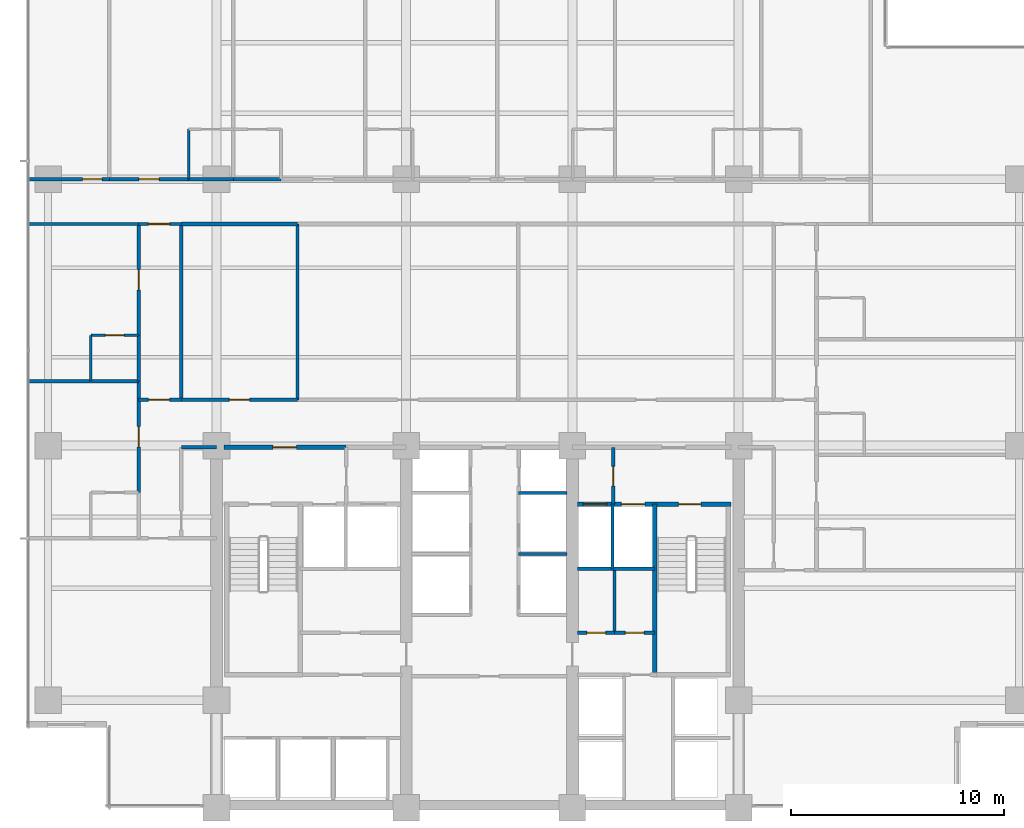
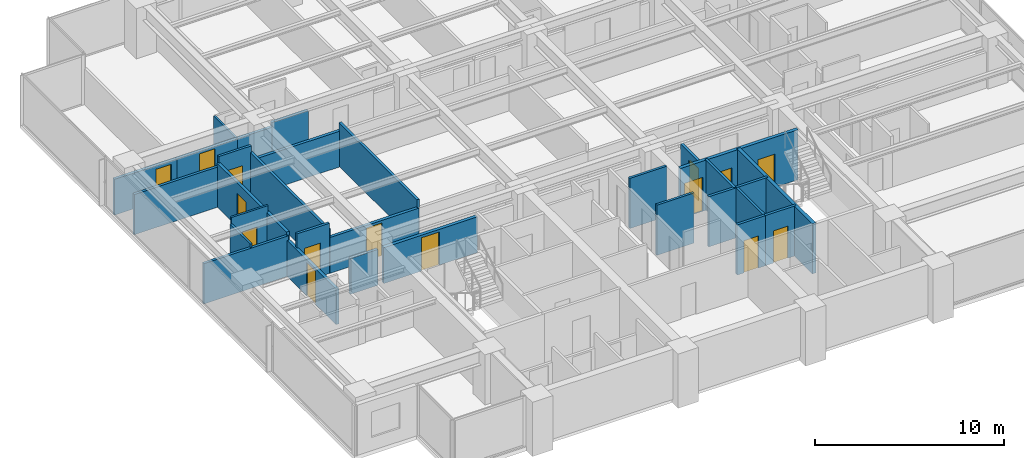
# One storey, part 9 of 17: 30 walls, 15 doors, 15 openings.
"""IFC4 building model written with IfcOpenShell, lengths in metres."""

from ifc_helpers import new_model, si_unit, direction, frame, frame_2d, origin, place, context, subcontext, project, spatial, rectangle, extrude, material, layer, layer_set, type_object, element, fill, save


model = new_model("IFC4")

# Units and contexts
model_context = context("Model", 3, precision=1e-05, world=origin(), true_north=direction((0.0, 1.0)))
body_context = subcontext(model_context, "Body", "Model", "MODEL_VIEW")
ifc_project = project(units=[si_unit("LENGTHUNIT", "METRE"), si_unit("AREAUNIT", "SQUARE_METRE"), si_unit("VOLUMEUNIT", "CUBIC_METRE"), si_unit("PLANEANGLEUNIT", "RADIAN"), si_unit("MASSUNIT", "GRAM", prefix="KILO")], contexts=[model_context])

# Site, building, storey
site_placement = place(None, origin())
site = spatial("IfcSite", under=ifc_project, at=site_placement, CompositionType="ELEMENT")
building_placement = place(site_placement, origin())
building = spatial("IfcBuilding", under=site, at=building_placement, Name="Qalmaran Belvedere Hotel", CompositionType="ELEMENT")
storey_placement = place(building_placement, frame((0.0, 0.0, 102.199951171875)))
storey = spatial("IfcBuildingStorey", under=building, at=storey_placement, Name="L25", CompositionType="ELEMENT", Elevation=102.199951171875)

# Wall
ifc_material_1 = material(Name="Moisture-Resistant Gypsum")
ifc_layer_1 = layer(ifc_material_1, 0.1201171875, Name="Moisture-Resistant Gypsum")
ifc_layer_set_1 = layer_set([ifc_layer_1], Name="Moisture-Resistant Gypsum")
wall_type_1 = type_object("IfcWallType", Name="WL-INT-120-BATH", PredefinedType="PARTITIONING", material=ifc_layer_set_1)
wall_1_placement = place(storey_placement, frame((18.99560546875, 33.0, 0.0), z_axis=(0.0, 0.0, 1.0), x_axis=(0.0, 1.0, 0.0)))
element("IfcWall", 1, at=wall_1_placement, inside=storey, type_object=wall_type_1, Name="L25 Partition WL-L25-NBS00", PredefinedType="PARTITIONING", context=body_context, shape_type="SweptSolid", body=[
    extrude(rectangle(XDim=2.35009765625, YDim=0.1201171875, at=frame_2d((1.175048828125, 0.0))), origin(), (0.0, 0.0, 1.0), 2.31298828125),
])

# Wall, opening, door
wall_2_placement = place(storey_placement, frame((14.39990234375, 25.675048828125, 0.0), z_axis=(0.0, 0.0, 1.0), x_axis=(1.0, 0.0, 0.0)))
wall_2 = element("IfcWall", 2, at=wall_2_placement, inside=storey, type_object=wall_type_1, Name="L25 Partition WL-L25-WBN01", PredefinedType="PARTITIONING", context=body_context, shape_type="SweptSolid", body=[
    extrude(rectangle(XDim=2.25, YDim=0.1201171875, at=frame_2d((1.125, 0.0))), origin(), (0.0, 0.0, 1.0), 3.239990234375),
])
opening_1_placement = place(wall_2_placement, frame((1.56494140625, 0.0, 0.0), z_axis=(0.0, 0.0, 1.0), x_axis=(-1.0, 0.0, 0.0)))
opening_1 = element("IfcOpeningElement", 3, at=opening_1_placement, cuts=wall_2, Name="Opening D-BATH", PredefinedType="OPENING", context=body_context, shape_type="SweptSolid", body=[
    extrude(rectangle(XDim=0.8798828125, YDim=2.080078125, at=frame_2d((0.43994140625, 1.0400390625))), frame((0.0, 0.070068359375, 0.0), z_axis=(0.0, -1.0, 0.0), x_axis=(1.0, 0.0, 0.0)), (0.0, 0.0, 1.0), 0.14013671875),
])
ifc_material_2 = material(Name="Engineered Oak Veneer")
door_type_1 = type_object("IfcDoorType", Name="DR-INT-BATH-880X2080", OperationType="NOTDEFINED", PredefinedType="DOOR", material=ifc_material_2)
door_1_placement = place(opening_1_placement, origin())
door_1 = element("IfcDoor", 4, at=door_1_placement, inside=storey, type_object=door_type_1, Name="L25 W Ensuite Door 02", OperationType="SINGLE_SWING_RIGHT", OverallHeight=2.080078125, OverallWidth=0.8798828125, PredefinedType="DOOR", context=body_context, shape_type="SweptSolid", body=[
    extrude(rectangle(XDim=0.8798828125, YDim=2.080078125, at=frame_2d((0.43994140625, 1.0400390625))), frame((0.0, 0.02490234375, 0.0), z_axis=(0.0, -1.0, 0.0), x_axis=(1.0, 0.0, 0.0)), (0.0, 0.0, 1.0), 0.050048828125),
])
fill(opening_1, door_1)

# Walls
wall_3_placement = place(storey_placement, frame((14.39990234375, 23.52490234375, 0.0), z_axis=(0.0, 0.0, 1.0), x_axis=(0.0, 1.0, 0.0)))
element("IfcWall", 5, at=wall_3_placement, inside=storey, type_object=wall_type_1, Name="L25 Partition WL-L25-WBS01", PredefinedType="PARTITIONING", context=body_context, shape_type="SweptSolid", body=[
    extrude(rectangle(XDim=2.150146484375, YDim=0.1201171875, at=frame_2d((1.0751953125, 0.0))), origin(), (0.0, 0.0, 1.0), 2.818115234375),
])
ifc_material_3 = material(Name="Gypsum Stud Partition")
ifc_layer_2 = layer(ifc_material_3, 0.14990234375, Name="Gypsum Stud Partition")
ifc_layer_set_2 = layer_set([ifc_layer_2], Name="Gypsum Stud Partition")
wall_type_2 = type_object("IfcWallType", Name="WL-INT-150-EI120", PredefinedType="PARTITIONING", material=ifc_layer_set_2)
wall_4_placement = place(storey_placement, frame((38.8798828125, 14.719970703125, 0.0), z_axis=(0.0, 0.0, 1.0), x_axis=(0.0, 1.0, 0.0)))
element("IfcWall", 6, at=wall_4_placement, inside=storey, type_object=wall_type_2, Name="L25 Partition WL-FF2M-L25", PredefinedType="PARTITIONING", context=body_context, shape_type="SweptSolid", body=[
    extrude(rectangle(XDim=3.0400390625, YDim=0.14990234375, at=frame_2d((1.52001953125, 0.0))), origin(), (0.0, 0.0, 1.0), 3.239990234375),
])
for number, where, z_axis, x_axis, name in (
    (7, (34.47998046875, 15.419921875, 0.0), (0.0, 0.0, 1.0), (1.0, 0.0, 0.0), "L25 Partition WL-PME-L25-154"),
    (8, (34.47998046875, 18.280029296875, 0.0), (0.0, 0.0, 1.0), (1.0, 0.0, 0.0), "L25 Partition WL-PME-L25-182"),
):
    element("IfcWall", number, at=place(storey_placement, frame(where, z_axis=z_axis, x_axis=x_axis)), inside=storey, type_object=wall_type_2, Name=name, PredefinedType="PARTITIONING", context=body_context, shape_type="SweptSolid", body=[
        extrude(rectangle(XDim=2.27001953125, YDim=0.14990234375, at=frame_2d((1.135009765625, 0.0))), origin(), (0.0, 0.0, 1.0), 3.239990234375),
    ])
ifc_layer_3 = layer(ifc_material_3, 0.14990234375, Name="Gypsum Stud Partition")
ifc_layer_set_3 = layer_set([ifc_layer_3], Name="Gypsum Stud Partition")
wall_type_3 = type_object("IfcWallType", Name="WL-INT-150-EI60", PredefinedType="PARTITIONING", material=ifc_layer_set_3)
wall_5_placement = place(storey_placement, frame((38.98291015625, 11.719970703125, 0.0), z_axis=(0.0, 0.0, 1.0), x_axis=(0.0, 1.0, 0.0)))
element("IfcWall", 9, at=wall_5_placement, inside=storey, type_object=wall_type_3, Name="L25 Partition WL-L25-KEV1", PredefinedType="PARTITIONING", context=body_context, shape_type="SweptSolid", body=[
    extrude(rectangle(XDim=2.929931640625, YDim=0.14990234375, at=frame_2d((1.46484375, 0.0))), origin(), (0.0, 0.0, 1.0), 3.239990234375),
])

# Wall, opening, door
wall_6_placement = place(storey_placement, frame((16.64990234375, 22.64990234375, 0.0), z_axis=(0.0, 0.0, 1.0), x_axis=(1.0, 0.0, 0.0)))
wall_6 = element("IfcWall", 10, at=wall_6_placement, inside=storey, type_object=wall_type_3, Name="L25 Partition WL-L25-XCW1", PredefinedType="PARTITIONING", context=body_context, shape_type="SweptSolid", body=[
    extrude(rectangle(XDim=2.0, YDim=0.14990234375, at=frame_2d((1.0, 0.0))), origin(), (0.0, 0.0, 1.0), 3.239990234375),
])
opening_2_placement = place(wall_6_placement, frame((0.449951171875, 0.0, 0.0)))
opening_2 = element("IfcOpeningElement", 11, at=opening_2_placement, cuts=wall_6, Name="Opening FD90B", PredefinedType="OPENING", context=body_context, shape_type="SweptSolid", body=[
    extrude(rectangle(XDim=1.0, YDim=2.14990234375, at=frame_2d((0.5, 1.074951171875))), frame((0.0, 0.0849609375, 0.0), z_axis=(0.0, -1.0, 0.0), x_axis=(1.0, 0.0, 0.0)), (0.0, 0.0, 1.0), 0.169921875),
])
ifc_material_4 = material(Name="Steel S355JR", Category="steel")
door_type_2 = type_object("IfcDoorType", Name="DR-FD90B-1000X2150", OperationType="NOTDEFINED", PredefinedType="DOOR", material=ifc_material_4)
door_2_placement = place(opening_2_placement, origin())
door_2 = element("IfcDoor", 12, at=door_2_placement, inside=storey, type_object=door_type_2, Name="L25 West Corridor Smoke Door S", OperationType="SINGLE_SWING_LEFT", OverallHeight=2.14990234375, OverallWidth=1.0, PredefinedType="DOOR", context=body_context, shape_type="SweptSolid", body=[
    extrude(rectangle(XDim=1.0, YDim=2.14990234375, at=frame_2d((0.5, 1.074951171875))), frame((0.0, 0.02490234375, 0.0), z_axis=(0.0, -1.0, 0.0), x_axis=(1.0, 0.0, 0.0)), (0.0, 0.0, 1.0), 0.050048828125),
])
fill(opening_2, door_2)

wall_7_placement = place(storey_placement, frame((16.64990234375, 30.89990234375, 0.0), z_axis=(0.0, 0.0, 1.0), x_axis=(1.0, 0.0, 0.0)))
wall_7 = element("IfcWall", 13, at=wall_7_placement, inside=storey, type_object=wall_type_3, Name="L25 Partition WL-L25-XCW2", PredefinedType="PARTITIONING", context=body_context, shape_type="SweptSolid", body=[
    extrude(rectangle(XDim=2.0, YDim=0.14990234375, at=frame_2d((1.0, 0.0))), origin(), (0.0, 0.0, 1.0), 3.239990234375),
])
opening_3_placement = place(wall_7_placement, frame((0.449951171875, 0.0, 0.0)))
opening_3 = element("IfcOpeningElement", 14, at=opening_3_placement, cuts=wall_7, Name="Opening FD90B", PredefinedType="OPENING", context=body_context, shape_type="SweptSolid", body=[
    extrude(rectangle(XDim=1.0, YDim=2.14990234375, at=frame_2d((0.5, 1.074951171875))), frame((0.0, 0.0849609375, 0.0), z_axis=(0.0, -1.0, 0.0), x_axis=(1.0, 0.0, 0.0)), (0.0, 0.0, 1.0), 0.169921875),
])
door_3_placement = place(opening_3_placement, origin())
door_3 = element("IfcDoor", 15, at=door_3_placement, inside=storey, type_object=door_type_2, Name="L25 West Corridor Smoke Door N", OperationType="SINGLE_SWING_RIGHT", OverallHeight=2.14990234375, OverallWidth=1.0, PredefinedType="DOOR", context=body_context, shape_type="SweptSolid", body=[
    extrude(rectangle(XDim=1.0, YDim=2.14990234375, at=frame_2d((0.5, 1.074951171875))), frame((0.0, 0.02490234375, 0.0), z_axis=(0.0, -1.0, 0.0), x_axis=(1.0, 0.0, 0.0)), (0.0, 0.0, 1.0), 0.050048828125),
])
fill(opening_3, door_3)

ifc_layer_4 = layer(ifc_material_3, 0.159912109375, Name="Gypsum Stud Partition")
ifc_layer_set_4 = layer_set([ifc_layer_4], Name="Gypsum Stud Partition")
wall_type_4 = type_object("IfcWallType", Name="WL-INT-160-EI120", PredefinedType="PARTITIONING", material=ifc_layer_set_4)
wall_8_placement = place(storey_placement, frame((38.919921875, 17.760009765625, 0.0), z_axis=(0.0, 0.0, 1.0), x_axis=(0.0, 1.0, 0.0)))
wall_8 = element("IfcWall", 16, at=wall_8_placement, inside=storey, type_object=wall_type_4, Name="L25 Partition WL-FFSV2-L25", PredefinedType="PARTITIONING", context=body_context, shape_type="SweptSolid", body=[
    extrude(rectangle(XDim=2.659912109375, YDim=0.159912109375, at=frame_2d((1.330078125, 0.0))), origin(), (0.0, 0.0, 1.0), 2.614013671875),
])
opening_4_placement = place(wall_8_placement, frame((1.77001953125, 0.0, 0.0), z_axis=(0.0, 0.0, 1.0), x_axis=(-1.0, 0.0, 0.0)))
opening_4 = element("IfcOpeningElement", 17, at=opening_4_placement, cuts=wall_8, Name="Opening FD60S1", PredefinedType="OPENING", context=body_context, shape_type="SweptSolid", body=[
    extrude(rectangle(XDim=0.919921875, YDim=2.080078125, at=frame_2d((0.4599609375, 1.0400390625))), frame((0.0, 0.08984375, 0.0), z_axis=(0.0, -1.0, 0.0), x_axis=(1.0, 0.0, 0.0)), (0.0, 0.0, 1.0), 0.179931640625),
])
door_type_3 = type_object("IfcDoorType", Name="DR-FD60S-920X2080", OperationType="NOTDEFINED", PredefinedType="DOOR", material=ifc_material_2)
door_4_placement = place(opening_4_placement, origin())
door_4 = element("IfcDoor", 18, at=door_4_placement, inside=storey, type_object=door_type_3, Name="L25 Service Lobby East Door", OperationType="SINGLE_SWING_LEFT", OverallHeight=2.080078125, OverallWidth=0.919921875, PredefinedType="DOOR", context=body_context, shape_type="SweptSolid", body=[
    extrude(rectangle(XDim=0.919921875, YDim=2.080078125, at=frame_2d((0.4599609375, 1.0400390625))), frame((0.0, 0.02490234375, 0.0), z_axis=(0.0, -1.0, 0.0), x_axis=(1.0, 0.0, 0.0)), (0.0, 0.0, 1.0), 0.050048828125),
])
fill(opening_4, door_4)

# Wall
wall_9_placement = place(storey_placement, frame((37.25, 14.719970703125, 0.0), z_axis=(0.0, 0.0, 1.0), x_axis=(1.0, 0.0, 0.0)))
element("IfcWall", 19, at=wall_9_placement, inside=storey, type_object=wall_type_4, Name="L25 Partition WL-FF2S-L25", PredefinedType="PARTITIONING", context=body_context, shape_type="SweptSolid", body=[
    extrude(rectangle(XDim=3.610107421875, YDim=0.159912109375, at=frame_2d((1.80517578125, 0.0))), origin(), (0.0, 0.0, 1.0), 3.239990234375),
])

# Wall, opening, door
ifc_layer_5 = layer(ifc_material_3, 0.159912109375, Name="Gypsum Stud Partition")
ifc_layer_set_5 = layer_set([ifc_layer_5], Name="Gypsum Stud Partition")
wall_type_5 = type_object("IfcWallType", Name="WL-INT-160-EI60", PredefinedType="PARTITIONING", material=ifc_layer_set_5)
wall_10_placement = place(storey_placement, frame((37.25, 11.719970703125, 0.0), z_axis=(0.0, 0.0, 1.0), x_axis=(1.0, 0.0, 0.0)))
wall_10 = element("IfcWall", 20, at=wall_10_placement, inside=storey, type_object=wall_type_5, Name="L25 Partition WL-L25-KEE1", PredefinedType="PARTITIONING", context=body_context, shape_type="SweptSolid", body=[
    extrude(rectangle(XDim=1.73291015625, YDim=0.159912109375, at=frame_2d((0.866455078125, 0.0))), origin(), (0.0, 0.0, 1.0), 3.239990234375),
])
opening_5_placement = place(wall_10_placement, frame((0.426513671875, 0.0, 0.0)))
opening_5 = element("IfcOpeningElement", 21, at=opening_5_placement, cuts=wall_10, Name="Opening FD60B", PredefinedType="OPENING", context=body_context, shape_type="SweptSolid", body=[
    extrude(rectangle(XDim=0.8798828125, YDim=2.080078125, at=frame_2d((0.43994140625, 1.0400390625))), frame((0.0, 0.08984375, 0.0), z_axis=(0.0, -1.0, 0.0), x_axis=(1.0, 0.0, 0.0)), (0.0, 0.0, 1.0), 0.179931640625),
])
door_type_4 = type_object("IfcDoorType", Name="DR-FD60B-880X2080", OperationType="NOTDEFINED", PredefinedType="DOOR", material=ifc_material_4)
door_5_placement = place(opening_5_placement, origin())
door_5 = element("IfcDoor", 22, at=door_5_placement, inside=storey, type_object=door_type_4, Name="L25 Cleaner Equipment Store Door", OperationType="SINGLE_SWING_RIGHT", OverallHeight=2.080078125, OverallWidth=0.8798828125, PredefinedType="DOOR", context=body_context, shape_type="SweptSolid", body=[
    extrude(rectangle(XDim=0.8798828125, YDim=2.080078125, at=frame_2d((0.43994140625, 1.0400390625))), frame((0.0, 0.02490234375, 0.0), z_axis=(0.0, -1.0, 0.0), x_axis=(1.0, 0.0, 0.0)), (0.0, 0.0, 1.0), 0.050048828125),
])
fill(opening_5, door_5)

wall_11_placement = place(storey_placement, frame((38.98291015625, 11.719970703125, 0.0), z_axis=(0.0, 0.0, 1.0), x_axis=(1.0, 0.0, 0.0)))
wall_11 = element("IfcWall", 23, at=wall_11_placement, inside=storey, type_object=wall_type_5, Name="L25 Partition WL-L25-KEE2", PredefinedType="PARTITIONING", context=body_context, shape_type="SweptSolid", body=[
    extrude(rectangle(XDim=1.877197265625, YDim=0.159912109375, at=frame_2d((0.9384765625, 0.0))), origin(), (0.0, 0.0, 1.0), 3.239990234375),
])
opening_6_placement = place(wall_11_placement, frame((0.49853515625, 0.0, 0.0)))
opening_6 = element("IfcOpeningElement", 24, at=opening_6_placement, cuts=wall_11, Name="Opening FD60B", PredefinedType="OPENING", context=body_context, shape_type="SweptSolid", body=[
    extrude(rectangle(XDim=0.8798828125, YDim=2.080078125, at=frame_2d((0.43994140625, 1.0400390625))), frame((0.0, 0.08984375, 0.0), z_axis=(0.0, -1.0, 0.0), x_axis=(1.0, 0.0, 0.0)), (0.0, 0.0, 1.0), 0.179931640625),
])
door_6_placement = place(opening_6_placement, origin())
door_6 = element("IfcDoor", 25, at=door_6_placement, inside=storey, type_object=door_type_4, Name="L25 Low Voltage Switch Room Door", OperationType="SINGLE_SWING_LEFT", OverallHeight=2.080078125, OverallWidth=0.8798828125, PredefinedType="DOOR", context=body_context, shape_type="SweptSolid", body=[
    extrude(rectangle(XDim=0.8798828125, YDim=2.080078125, at=frame_2d((0.43994140625, 1.0400390625))), frame((0.0, 0.02490234375, 0.0), z_axis=(0.0, -1.0, 0.0), x_axis=(1.0, 0.0, 0.0)), (0.0, 0.0, 1.0), 0.050048828125),
])
fill(opening_6, door_6)

# Walls
wall_12_placement = place(storey_placement, frame((18.64990234375, 20.419921875, 0.0), z_axis=(0.0, 0.0, 1.0), x_axis=(1.0, 0.0, 0.0)))
element("IfcWall", 26, at=wall_12_placement, inside=storey, type_object=wall_type_5, Name="L25 Partition WL-L25-WCLN", PredefinedType="PARTITIONING", context=body_context, shape_type="SweptSolid", body=[
    extrude(rectangle(XDim=1.650146484375, YDim=0.159912109375, at=frame_2d((0.8251953125, 0.0))), origin(), (0.0, 0.0, 1.0), 2.31298828125),
])
for number, where, z_axis, x_axis, name in (
    (27, (18.64990234375, 22.64990234375, 0.0), (0.0, 0.0, 1.0), (0.0, 1.0, 0.0), "L25 Partition WL-L25-MIDVL"),
    (28, (24.10009765625, 22.64990234375, 0.0), (0.0, 0.0, 1.0), (0.0, 1.0, 0.0), "L25 Partition WL-L25-MIDVR1"),
):
    element("IfcWall", number, at=place(storey_placement, frame(where, z_axis=z_axis, x_axis=x_axis)), inside=storey, type_object=wall_type_5, Name=name, PredefinedType="PARTITIONING", context=body_context, shape_type="SweptSolid", body=[
        extrude(rectangle(XDim=8.25, YDim=0.159912109375, at=frame_2d((4.125, 0.0))), origin(), (0.0, 0.0, 1.0), 2.818115234375),
    ])
for number, where, z_axis, x_axis, name in (
    (29, (11.469970703125, 23.52490234375, 0.0), (0.0, 0.0, 1.0), (1.0, 0.0, 0.0), "L25 Partition WL-L25-WU00"),
    (30, (11.469970703125, 30.89990234375, 0.0), (0.0, 0.0, 1.0), (1.0, 0.0, 0.0), "L25 Partition WL-L25-WU01"),
):
    element("IfcWall", number, at=place(storey_placement, frame(where, z_axis=z_axis, x_axis=x_axis)), inside=storey, type_object=wall_type_5, Name=name, PredefinedType="PARTITIONING", context=body_context, shape_type="SweptSolid", body=[
        extrude(rectangle(XDim=5.179931640625, YDim=0.159912109375, at=frame_2d((2.58984375, 0.0))), origin(), (0.0, 0.0, 1.0), 2.60302734375),
    ])

# Wall, opening, door
ifc_layer_6 = layer(ifc_material_3, 0.179931640625, Name="Gypsum Stud Partition")
ifc_layer_set_6 = layer_set([ifc_layer_6], Name="Gypsum Stud Partition")
wall_type_6 = type_object("IfcWallType", Name="WL-INT-180-EI60", PredefinedType="PARTITIONING", material=ifc_layer_set_6)
wall_13_placement = place(storey_placement, frame((18.64990234375, 22.64990234375, 0.0), z_axis=(0.0, 0.0, 1.0), x_axis=(1.0, 0.0, 0.0)))
wall_13 = element("IfcWall", 31, at=wall_13_placement, inside=storey, type_object=wall_type_6, Name="L25 Partition WL-L25-MIDD1", PredefinedType="PARTITIONING", context=body_context, shape_type="SweptSolid", body=[
    extrude(rectangle(XDim=5.4501953125, YDim=0.179931640625, at=frame_2d((2.72509765625, 0.0))), origin(), (0.0, 0.0, 1.0), 2.31298828125),
])
opening_7_placement = place(wall_13_placement, frame((2.25, 0.0, 0.0)))
opening_7 = element("IfcOpeningElement", 32, at=opening_7_placement, cuts=wall_13, Name="Opening FD60", PredefinedType="OPENING", context=body_context, shape_type="SweptSolid", body=[
    extrude(rectangle(XDim=0.949951171875, YDim=2.14990234375, at=frame_2d((0.47509765625, 1.074951171875))), frame((0.0, 0.10009765625, 0.0), z_axis=(0.0, -1.0, 0.0), x_axis=(1.0, 0.0, 0.0)), (0.0, 0.0, 1.0), 0.199951171875),
])
door_type_5 = type_object("IfcDoorType", Name="DR-FD60-950X2150", OperationType="NOTDEFINED", PredefinedType="DOOR", material=ifc_material_2)
door_7_placement = place(opening_7_placement, origin())
door_7 = element("IfcDoor", 33, at=door_7_placement, inside=storey, type_object=door_type_5, Name="L25 Housekeeping and Linen Room Door", OperationType="SINGLE_SWING_LEFT", OverallHeight=2.14990234375, OverallWidth=0.949951171875, PredefinedType="DOOR", context=body_context, shape_type="SweptSolid", body=[
    extrude(rectangle(XDim=0.949951171875, YDim=2.14990234375, at=frame_2d((0.47509765625, 1.074951171875))), frame((0.0, 0.02490234375, 0.0), z_axis=(0.0, -1.0, 0.0), x_axis=(1.0, 0.0, 0.0)), (0.0, 0.0, 1.0), 0.050048828125),
])
fill(opening_7, door_7)

# Walls
wall_14_placement = place(storey_placement, frame((18.64990234375, 30.89990234375, 0.0), z_axis=(0.0, 0.0, 1.0), x_axis=(1.0, 0.0, 0.0)))
element("IfcWall", 34, at=wall_14_placement, inside=storey, type_object=wall_type_6, Name="L25 Partition WL-L25-MIDO1", PredefinedType="PARTITIONING", context=body_context, shape_type="SweptSolid", body=[
    extrude(rectangle(XDim=5.4501953125, YDim=0.179931640625, at=frame_2d((2.72509765625, 0.0))), origin(), (0.0, 0.0, 1.0), 2.31298828125),
])
wall_15_placement = place(storey_placement, frame((18.99560546875, 33.0, 0.0), z_axis=(0.0, 0.0, 1.0), x_axis=(1.0, 0.0, 0.0)))
element("IfcWall", 35, at=wall_15_placement, inside=storey, type_object=wall_type_6, Name="L25 Partition WL-L25-NBC00", PredefinedType="PARTITIONING", context=body_context, shape_type="SweptSolid", body=[
    extrude(rectangle(XDim=2.10009765625, YDim=0.179931640625, at=frame_2d((1.050048828125, 0.0))), origin(), (0.0, 0.0, 1.0), 2.31298828125),
])

# Wall, opening, door
wall_16_placement = place(storey_placement, frame((15.27001953125, 33.0, 0.0), z_axis=(0.0, 0.0, 1.0), x_axis=(1.0, 0.0, 0.0)))
wall_16 = element("IfcWall", 36, at=wall_16_placement, inside=storey, type_object=wall_type_6, Name="L25 Partition WL-L25-NEC00", PredefinedType="PARTITIONING", context=body_context, shape_type="SweptSolid", body=[
    extrude(rectangle(XDim=3.7255859375, YDim=0.179931640625, at=frame_2d((1.86279296875, 0.0))), origin(), (0.0, 0.0, 1.0), 2.31298828125),
])
opening_8_placement = place(wall_16_placement, frame((1.3876953125, 0.0, 0.0)))
opening_8 = element("IfcOpeningElement", 37, at=opening_8_placement, cuts=wall_16, Name="Opening FD60", PredefinedType="OPENING", context=body_context, shape_type="SweptSolid", body=[
    extrude(rectangle(XDim=0.949951171875, YDim=2.14990234375, at=frame_2d((0.47509765625, 1.074951171875))), frame((0.0, 0.10009765625, 0.0), z_axis=(0.0, -1.0, 0.0), x_axis=(1.0, 0.0, 0.0)), (0.0, 0.0, 1.0), 0.199951171875),
])
door_8_placement = place(opening_8_placement, origin())
door_8 = element("IfcDoor", 38, at=door_8_placement, inside=storey, type_object=door_type_5, Name="L25 Guest Entrance Door N01", OperationType="SINGLE_SWING_LEFT", OverallHeight=2.14990234375, OverallWidth=0.949951171875, PredefinedType="DOOR", context=body_context, shape_type="SweptSolid", body=[
    extrude(rectangle(XDim=0.949951171875, YDim=2.14990234375, at=frame_2d((0.47509765625, 1.074951171875))), frame((0.0, 0.02490234375, 0.0), z_axis=(0.0, -1.0, 0.0), x_axis=(1.0, 0.0, 0.0)), (0.0, 0.0, 1.0), 0.050048828125),
])
fill(opening_8, door_8)

# Wall
wall_17_placement = place(storey_placement, frame((21.095703125, 33.0, 0.0), z_axis=(0.0, 0.0, 1.0), x_axis=(1.0, 0.0, 0.0)))
element("IfcWall", 39, at=wall_17_placement, inside=storey, type_object=wall_type_6, Name="L25 Partition WL-L25-NBC01", PredefinedType="PARTITIONING", context=body_context, shape_type="SweptSolid", body=[
    extrude(rectangle(XDim=2.22998046875, YDim=0.179931640625, at=frame_2d((1.114990234375, 0.0))), origin(), (0.0, 0.0, 1.0), 2.614013671875),
])

# Wall, opening, door
wall_18_placement = place(storey_placement, frame((16.64990234375, 18.300048828125, 0.0), z_axis=(0.0, 0.0, 1.0), x_axis=(0.0, 1.0, 0.0)))
wall_18 = element("IfcWall", 40, at=wall_18_placement, inside=storey, type_object=wall_type_6, Name="L25 Partition WL-L25-WEC00", PredefinedType="PARTITIONING", context=body_context, shape_type="SweptSolid", body=[
    extrude(rectangle(XDim=5.224853515625, YDim=0.179931640625, at=frame_2d((2.6123046875, 0.0))), origin(), (0.0, 0.0, 1.0), 2.31298828125),
])
opening_9_placement = place(wall_18_placement, frame((2.137451171875, 0.0, 0.0)))
opening_9 = element("IfcOpeningElement", 41, at=opening_9_placement, cuts=wall_18, Name="Opening FD60", PredefinedType="OPENING", context=body_context, shape_type="SweptSolid", body=[
    extrude(rectangle(XDim=0.949951171875, YDim=2.14990234375, at=frame_2d((0.47509765625, 1.074951171875))), frame((0.0, 0.10009765625, 0.0), z_axis=(0.0, -1.0, 0.0), x_axis=(1.0, 0.0, 0.0)), (0.0, 0.0, 1.0), 0.199951171875),
])
door_9_placement = place(opening_9_placement, origin())
door_9 = element("IfcDoor", 42, at=door_9_placement, inside=storey, type_object=door_type_5, Name="L25 W Wing Door 01", OperationType="SINGLE_SWING_LEFT", OverallHeight=2.14990234375, OverallWidth=0.949951171875, PredefinedType="DOOR", context=body_context, shape_type="SweptSolid", body=[
    extrude(rectangle(XDim=0.949951171875, YDim=2.14990234375, at=frame_2d((0.47509765625, 1.074951171875))), frame((0.0, 0.02490234375, 0.0), z_axis=(0.0, -1.0, 0.0), x_axis=(1.0, 0.0, 0.0)), (0.0, 0.0, 1.0), 0.050048828125),
])
fill(opening_9, door_9)

# Wall
wall_19_placement = place(storey_placement, frame((16.64990234375, 23.52490234375, 0.0), z_axis=(0.0, 0.0, 1.0), x_axis=(0.0, 1.0, 0.0)))
element("IfcWall", 43, at=wall_19_placement, inside=storey, type_object=wall_type_6, Name="L25 Partition WL-L25-WBC01", PredefinedType="PARTITIONING", context=body_context, shape_type="SweptSolid", body=[
    extrude(rectangle(XDim=2.150146484375, YDim=0.179931640625, at=frame_2d((1.0751953125, 0.0))), origin(), (0.0, 0.0, 1.0), 2.818115234375),
])

# Wall, opening, door
wall_20_placement = place(storey_placement, frame((16.64990234375, 25.675048828125, 0.0), z_axis=(0.0, 0.0, 1.0), x_axis=(0.0, 1.0, 0.0)))
wall_20 = element("IfcWall", 44, at=wall_20_placement, inside=storey, type_object=wall_type_6, Name="L25 Partition WL-L25-WEC01", PredefinedType="PARTITIONING", context=body_context, shape_type="SweptSolid", body=[
    extrude(rectangle(XDim=5.224853515625, YDim=0.179931640625, at=frame_2d((2.6123046875, 0.0))), origin(), (0.0, 0.0, 1.0), 2.818115234375),
])
opening_10_placement = place(wall_20_placement, frame((2.137451171875, 0.0, 0.0)))
opening_10 = element("IfcOpeningElement", 45, at=opening_10_placement, cuts=wall_20, Name="Opening FD60", PredefinedType="OPENING", context=body_context, shape_type="SweptSolid", body=[
    extrude(rectangle(XDim=0.949951171875, YDim=2.14990234375, at=frame_2d((0.47509765625, 1.074951171875))), frame((0.0, 0.10009765625, 0.0), z_axis=(0.0, -1.0, 0.0), x_axis=(1.0, 0.0, 0.0)), (0.0, 0.0, 1.0), 0.199951171875),
])
door_10_placement = place(opening_10_placement, origin())
door_10 = element("IfcDoor", 46, at=door_10_placement, inside=storey, type_object=door_type_5, Name="L25 W Wing Door 02", OperationType="SINGLE_SWING_LEFT", OverallHeight=2.14990234375, OverallWidth=0.949951171875, PredefinedType="DOOR", context=body_context, shape_type="SweptSolid", body=[
    extrude(rectangle(XDim=0.949951171875, YDim=2.14990234375, at=frame_2d((0.47509765625, 1.074951171875))), frame((0.0, 0.02490234375, 0.0), z_axis=(0.0, -1.0, 0.0), x_axis=(1.0, 0.0, 0.0)), (0.0, 0.0, 1.0), 0.050048828125),
])
fill(opening_10, door_10)

wall_21_placement = place(storey_placement, frame((11.469970703125, 33.0, 0.0), z_axis=(0.0, 0.0, 1.0), x_axis=(1.0, 0.0, 0.0)))
wall_21 = element("IfcWall", 47, at=wall_21_placement, inside=storey, type_object=wall_type_6, Name="L25 Partition WL-L25-NWSD", PredefinedType="PARTITIONING", context=body_context, shape_type="SweptSolid", body=[
    extrude(rectangle(XDim=3.800048828125, YDim=0.179931640625, at=frame_2d((1.89990234375, 0.0))), origin(), (0.0, 0.0, 1.0), 2.31298828125),
])
opening_11_placement = place(wall_21_placement, frame((2.543701171875, 0.0, 0.0)))
opening_11 = element("IfcOpeningElement", 48, at=opening_11_placement, cuts=wall_21, Name="Opening FD60S1", PredefinedType="OPENING", context=body_context, shape_type="SweptSolid", body=[
    extrude(rectangle(XDim=0.919921875, YDim=2.080078125, at=frame_2d((0.4599609375, 1.0400390625))), frame((0.0, 0.10009765625, 0.0), z_axis=(0.0, -1.0, 0.0), x_axis=(1.0, 0.0, 0.0)), (0.0, 0.0, 1.0), 0.199951171875),
])
door_11_placement = place(opening_11_placement, origin())
door_11 = element("IfcDoor", 49, at=door_11_placement, inside=storey, type_object=door_type_3, Name="L25 NW Belvedere Study Door", OperationType="SINGLE_SWING_RIGHT", OverallHeight=2.080078125, OverallWidth=0.919921875, PredefinedType="DOOR", context=body_context, shape_type="SweptSolid", body=[
    extrude(rectangle(XDim=0.919921875, YDim=2.080078125, at=frame_2d((0.4599609375, 1.0400390625))), frame((0.0, 0.02490234375, 0.0), z_axis=(0.0, -1.0, 0.0), x_axis=(1.0, 0.0, 0.0)), (0.0, 0.0, 1.0), 0.050048828125),
])
fill(opening_11, door_11)

ifc_material_5 = material(Name="Concrete C30/37 Blockwork", Category="masonry")
ifc_layer_7 = layer(ifc_material_5, 0.199951171875, Name="Concrete C30/37 Blockwork")
ifc_layer_set_7 = layer_set([ifc_layer_7], Name="Concrete C30/37 Blockwork")
wall_type_7 = type_object("IfcWallType", Name="WL-INT-200-EI120", PredefinedType="PARTITIONING", material=ifc_layer_set_7)
wall_22_placement = place(storey_placement, frame((20.64990234375, 20.419921875, 0.0), z_axis=(0.0, 0.0, 1.0), x_axis=(1.0, 0.0, 0.0)))
wall_22 = element("IfcWall", 50, at=wall_22_placement, inside=storey, type_object=wall_type_7, Name="L25 Partition WL-CN1A-L25", PredefinedType="PARTITIONING", context=body_context, shape_type="SweptSolid", body=[
    extrude(rectangle(XDim=5.72998046875, YDim=0.199951171875, at=frame_2d((2.864990234375, 0.0))), origin(), (0.0, 0.0, 1.0), 2.31298828125),
])
opening_12_placement = place(wall_22_placement, frame((2.300048828125, 0.0, 0.0)))
opening_12 = element("IfcOpeningElement", 51, at=opening_12_placement, cuts=wall_22, Name="Opening FD90", PredefinedType="OPENING", context=body_context, shape_type="SweptSolid", body=[
    extrude(rectangle(XDim=1.10009765625, YDim=2.14990234375, at=frame_2d((0.550048828125, 1.074951171875))), frame((0.0, 0.10986328125, 0.0), z_axis=(0.0, -1.0, 0.0), x_axis=(1.0, 0.0, 0.0)), (0.0, 0.0, 1.0), 0.219970703125),
])
door_type_6 = type_object("IfcDoorType", Name="DR-FD90-1100X2150", OperationType="NOTDEFINED", PredefinedType="DOOR", material=ifc_material_4)
door_12_placement = place(opening_12_placement, origin())
door_12 = element("IfcDoor", 52, at=door_12_placement, inside=storey, type_object=door_type_6, Name="L25 FF1 Lobby Corridor Door", OperationType="SINGLE_SWING_RIGHT", OverallHeight=2.14990234375, OverallWidth=1.10009765625, PredefinedType="DOOR", context=body_context, shape_type="SweptSolid", body=[
    extrude(rectangle(XDim=1.10009765625, YDim=2.14990234375, at=frame_2d((0.550048828125, 1.074951171875))), frame((0.0, 0.02490234375, 0.0), z_axis=(0.0, -1.0, 0.0), x_axis=(1.0, 0.0, 0.0)), (0.0, 0.0, 1.0), 0.050048828125),
])
fill(opening_12, door_12)

# Wall
ifc_material_6 = material(Name="Concrete C50/60", Category="concrete")
ifc_layer_8 = layer(ifc_material_6, 0.2099609375, Name="Concrete C50/60")
ifc_layer_set_8 = layer_set([ifc_layer_8], Name="Concrete C50/60")
wall_type_8 = type_object("IfcWallType", Name="WL-STAIR-210-C50", PredefinedType="SHEAR", material=ifc_layer_set_8)
wall_23_placement = place(storey_placement, frame((40.85498046875, 9.7451171875, 0.0), z_axis=(0.0, 0.0, 1.0), x_axis=(0.0, 1.0, 0.0)))
element("IfcWall", 53, at=wall_23_placement, inside=storey, type_object=wall_type_8, Name="L25 Stair ST-2 West Bearing Wall", PredefinedType="SHEAR", context=body_context, shape_type="SweptSolid", body=[
    extrude(rectangle(XDim=8.009765625, YDim=0.2099609375, at=frame_2d((4.0048828125, 0.0))), origin(), (0.0, 0.0, 1.0), 3.239990234375),
])

# Wall, openings, doors
wall_24_placement = place(storey_placement, frame((37.25, 17.7548828125, 0.0), z_axis=(0.0, 0.0, 1.0), x_axis=(1.0, 0.0, 0.0)))
wall_24 = element("IfcWall", 54, at=wall_24_placement, inside=storey, type_object=wall_type_8, Name="L25 East Lobby and Stair ST-2 North Bearing Wall", PredefinedType="SHEAR", context=body_context, shape_type="SweptSolid", body=[
    extrude(rectangle(XDim=7.199951171875, YDim=0.2099609375, at=frame_2d((3.60009765625, 0.0))), origin(), (0.0, 0.0, 1.0), 3.239990234375),
])
opening_13_placement = place(wall_24_placement, frame((0.25, 0.0, 0.0)))
opening_13 = element("IfcOpeningElement", 55, at=opening_13_placement, cuts=wall_24, Name="Opening LD-SV", PredefinedType="OPENING", context=body_context, shape_type="SweptSolid", body=[
    extrude(rectangle(XDim=1.1201171875, YDim=2.199951171875, at=frame_2d((0.56005859375, 1.10009765625))), frame((0.0, 0.114990234375, 0.0), z_axis=(0.0, -1.0, 0.0), x_axis=(1.0, 0.0, 0.0)), (0.0, 0.0, 1.0), 0.22998046875),
])
opening_14_placement = place(wall_24_placement, frame((2.050048828125, 0.0, 0.0)))
opening_14 = element("IfcOpeningElement", 56, at=opening_14_placement, cuts=wall_24, Name="Opening LD-FF", PredefinedType="OPENING", context=body_context, shape_type="SweptSolid", body=[
    extrude(rectangle(XDim=1.10009765625, YDim=2.179931640625, at=frame_2d((0.550048828125, 1.08984375))), frame((0.0, 0.114990234375, 0.0), z_axis=(0.0, -1.0, 0.0), x_axis=(1.0, 0.0, 0.0)), (0.0, 0.0, 1.0), 0.22998046875),
])
opening_15_placement = place(wall_24_placement, frame((5.780029296875, 0.0, 0.0), z_axis=(0.0, 0.0, 1.0), x_axis=(-1.0, 0.0, 0.0)))
opening_15 = element("IfcOpeningElement", 57, at=opening_15_placement, cuts=wall_24, Name="Opening FD90S2", PredefinedType="OPENING", context=body_context, shape_type="SweptSolid", body=[
    extrude(rectangle(XDim=1.050048828125, YDim=2.14990234375, at=frame_2d((0.52490234375, 1.074951171875))), frame((0.0, 0.114990234375, 0.0), z_axis=(0.0, -1.0, 0.0), x_axis=(1.0, 0.0, 0.0)), (0.0, 0.0, 1.0), 0.22998046875),
])
door_type_7 = type_object("IfcDoorType", Name="DR-FD90S-1050X2150", OperationType="NOTDEFINED", PredefinedType="DOOR", material=ifc_material_4)
door_13_placement = place(opening_15_placement, origin())
door_13 = element("IfcDoor", 58, at=door_13_placement, inside=storey, type_object=door_type_7, Name="L25 Stair ST-2 Door", OperationType="SINGLE_SWING_LEFT", OverallHeight=2.14990234375, OverallWidth=1.050048828125, PredefinedType="DOOR", context=body_context, shape_type="SweptSolid", body=[
    extrude(rectangle(XDim=1.050048828125, YDim=2.14990234375, at=frame_2d((0.52490234375, 1.074951171875))), frame((0.0, 0.02490234375, 0.0), z_axis=(0.0, -1.0, 0.0), x_axis=(1.0, 0.0, 0.0)), (0.0, 0.0, 1.0), 0.050048828125),
])
fill(opening_15, door_13)
ifc_material_7 = material(Name="Stainless Steel 1.4401", Category="steel")
door_type_8 = type_object("IfcDoorType", Name="DR-LIFT-FF-1100X2180", OperationType="DOUBLE_DOOR_SLIDING", PredefinedType="DOOR", material=ifc_material_7)
door_14_placement = place(opening_14_placement, origin())
door_14 = element("IfcDoor", 59, at=door_14_placement, inside=storey, type_object=door_type_8, Name="L25 FF2 Lift Landing Door", OperationType="DOUBLE_DOOR_SLIDING", OverallHeight=2.179931640625, OverallWidth=1.10009765625, PredefinedType="DOOR", context=body_context, shape_type="SweptSolid", body=[
    extrude(rectangle(XDim=1.10009765625, YDim=2.179931640625, at=frame_2d((0.550048828125, 1.08984375))), frame((0.0, 0.02490234375, 0.0), z_axis=(0.0, -1.0, 0.0), x_axis=(1.0, 0.0, 0.0)), (0.0, 0.0, 1.0), 0.050048828125),
])
fill(opening_14, door_14)
door_type_9 = type_object("IfcDoorType", Name="DR-LIFT-SV-1120X2200", OperationType="DOUBLE_DOOR_SLIDING", PredefinedType="DOOR", material=ifc_material_7)
door_15_placement = place(opening_13_placement, origin())
door_15 = element("IfcDoor", 60, at=door_15_placement, inside=storey, type_object=door_type_9, Name="L25 SV2 Lift Landing Door", OperationType="DOUBLE_DOOR_SLIDING", OverallHeight=2.199951171875, OverallWidth=1.1201171875, PredefinedType="DOOR", context=body_context, shape_type="SweptSolid", body=[
    extrude(rectangle(XDim=1.1201171875, YDim=2.199951171875, at=frame_2d((0.56005859375, 1.10009765625))), frame((0.0, 0.02490234375, 0.0), z_axis=(0.0, -1.0, 0.0), x_axis=(1.0, 0.0, 0.0)), (0.0, 0.0, 1.0), 0.050048828125),
])
fill(opening_13, door_15)

save(model, "model.ifc")
